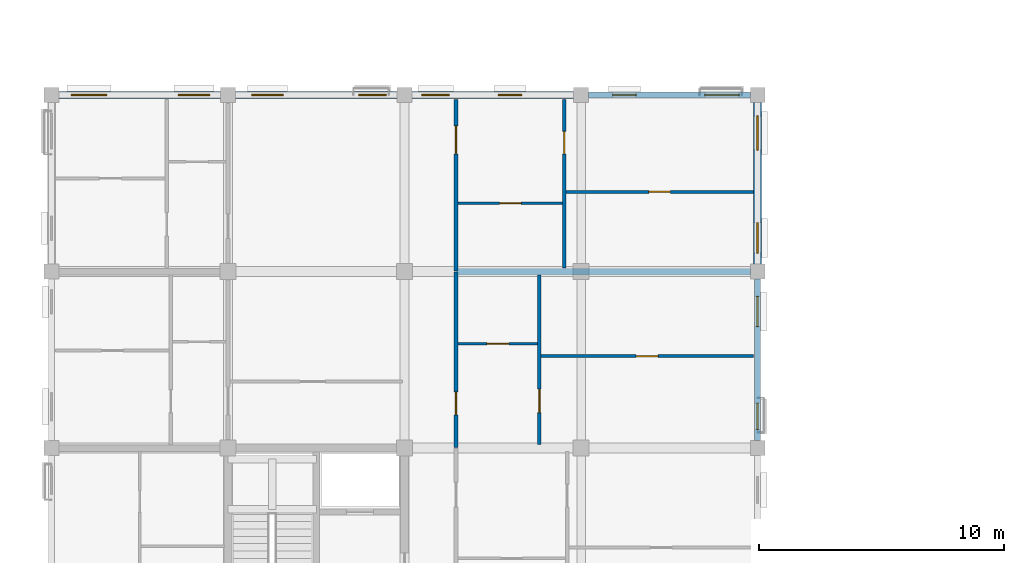
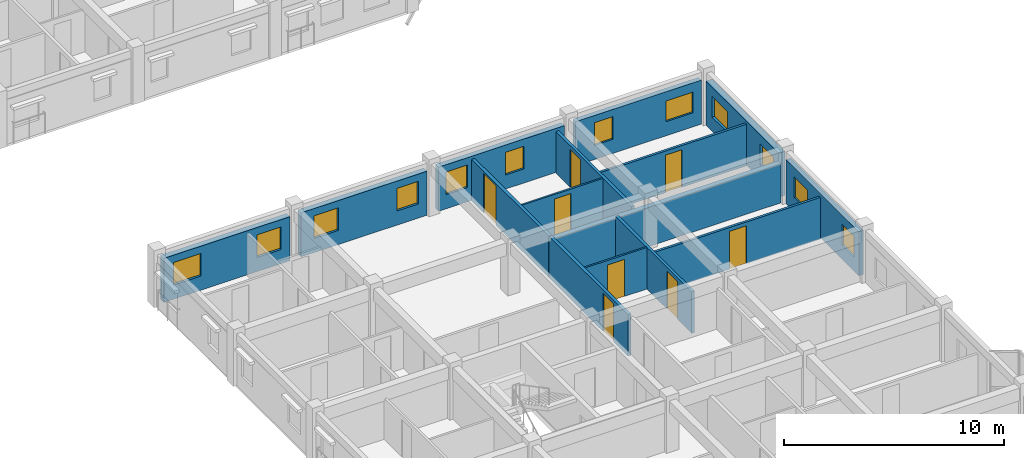
# One storey, part 93 of 124: 15 walls, 12 windows, 8 doors, 20 openings.
"""IFC4 building model written with IfcOpenShell, lengths in metres."""

from ifc_helpers import new_model, si_unit, direction, frame, frame_2d, origin, place, context, subcontext, project, spatial, rectangle, extrude, material, layer, layer_set, type_object, element, fill, save


model = new_model("IFC4")

# Units and contexts
model_context = context("Model", 3, precision=1e-05, world=origin(), true_north=direction((0.0, 1.0)))
body_context = subcontext(model_context, "Body", "Model", "MODEL_VIEW")
ifc_project = project(units=[si_unit("LENGTHUNIT", "METRE"), si_unit("AREAUNIT", "SQUARE_METRE"), si_unit("VOLUMEUNIT", "CUBIC_METRE"), si_unit("PLANEANGLEUNIT", "RADIAN"), si_unit("MASSUNIT", "GRAM", prefix="KILO"), si_unit("THERMODYNAMICTEMPERATUREUNIT", "KELVIN"), si_unit("POWERUNIT", "WATT")], contexts=[model_context])

# Site, building, storey
site_placement = place(None, origin())
site = spatial("IfcSite", under=ifc_project, at=site_placement, CompositionType="ELEMENT")
building_placement = place(site_placement, origin())
building = spatial("IfcBuilding", under=site, at=building_placement, Name="Tavuni Mirador Residences", CompositionType="ELEMENT")
storey_placement = place(building_placement, frame((0.0, 0.0, 7.64990234375)))
storey = spatial("IfcBuildingStorey", under=building, at=storey_placement, Name="L02", CompositionType="ELEMENT", Elevation=7.64990234375)

# Wall, opening, door
ifc_material_1 = material(Name="Precast concrete C40/50", Category="concrete")
ifc_layer_1 = layer(ifc_material_1, 0.1650390625, Name="Precast concrete C40/50", Category="concrete")
ifc_layer_set_1 = layer_set([ifc_layer_1], Name="Precast concrete C40/50")
wall_type_1 = type_object("IfcWallType", Name="WT-CORR165", PredefinedType="PARTITIONING", material=ifc_layer_set_1)
wall_1_placement = place(storey_placement, frame((20.10009765625, 36.02001953125, 0.0), z_axis=(0.0, 0.0, 1.0), x_axis=(0.0, 1.0, 0.0)))
wall_1 = element("IfcWall", 1, at=wall_1_placement, inside=storey, type_object=wall_type_1, Name="CORW-BLK-A-L02-0-04", PredefinedType="PARTITIONING", context=body_context, shape_type="SweptSolid", body=[
    extrude(rectangle(XDim=7.159912109375, YDim=0.1650390625, at=frame_2d((3.580078125, 0.0))), origin(), (0.0, 0.0, 1.0), 2.30517578125),
])
opening_1_placement = place(wall_1_placement, frame((1.330078125, 0.0, 0.0)))
opening_1 = element("IfcOpeningElement", 2, at=opening_1_placement, cuts=wall_1, Name="Opening D-19", PredefinedType="OPENING", context=body_context, shape_type="SweptSolid", body=[
    extrude(rectangle(XDim=0.93994140625, YDim=2.1201171875, at=frame_2d((0.469970703125, 1.06005859375))), frame((0.0, 0.092529296875, 0.0), z_axis=(0.0, -1.0, 0.0), x_axis=(1.0, 0.0, 0.0)), (0.0, 0.0, 1.0), 0.18505859375),
])
ifc_material_2 = material(Name="Solid core iroko timber", Category="wood")
door_type_1 = type_object("IfcDoorType", Name="DT-FD60-940", OperationType="NOTDEFINED", PredefinedType="DOOR", material=ifc_material_2)
door_1_placement = place(opening_1_placement, origin())
door_1 = element("IfcDoor", 3, at=door_1_placement, inside=storey, type_object=door_type_1, Name="DR-2407", OperationType="SINGLE_SWING_RIGHT", OverallHeight=2.1201171875, OverallWidth=0.93994140625, PredefinedType="DOOR", context=body_context, shape_type="SweptSolid", body=[
    extrude(rectangle(XDim=0.93994140625, YDim=2.1201171875, at=frame_2d((0.469970703125, 1.06005859375))), frame((0.0, 0.02490234375, 0.0), z_axis=(0.0, -1.0, 0.0), x_axis=(1.0, 0.0, 0.0)), (0.0, 0.0, 1.0), 0.050048828125),
])
fill(opening_1, door_1)

wall_2_placement = place(storey_placement, frame((20.10009765625, 43.219970703125, 0.0), z_axis=(0.0, 0.0, 1.0), x_axis=(0.0, 1.0, 0.0)))
wall_2 = element("IfcWall", 4, at=wall_2_placement, inside=storey, type_object=wall_type_1, Name="CORW-BLK-A-L02-0-05", PredefinedType="PARTITIONING", context=body_context, shape_type="SweptSolid", body=[
    extrude(rectangle(XDim=7.005126953125, YDim=0.1650390625, at=frame_2d((3.50244140625, 0.0))), origin(), (0.0, 0.0, 1.0), 2.30517578125),
])
opening_2_placement = place(wall_2_placement, frame((4.780029296875, 0.0, 0.0)))
opening_2 = element("IfcOpeningElement", 5, at=opening_2_placement, cuts=wall_2, Name="Opening D-20", PredefinedType="OPENING", context=body_context, shape_type="SweptSolid", body=[
    extrude(rectangle(XDim=1.139892578125, YDim=2.179931640625, at=frame_2d((0.56982421875, 1.08984375))), frame((0.0, 0.092529296875, 0.0), z_axis=(0.0, -1.0, 0.0), x_axis=(1.0, 0.0, 0.0)), (0.0, 0.0, 1.0), 0.18505859375),
])
door_type_2 = type_object("IfcDoorType", Name="DT-FD60-1140", OperationType="NOTDEFINED", PredefinedType="DOOR", material=ifc_material_2)
door_2_placement = place(opening_2_placement, origin())
door_2 = element("IfcDoor", 6, at=door_2_placement, inside=storey, type_object=door_type_2, Name="DR-2408", OperationType="SINGLE_SWING_LEFT", OverallHeight=2.179931640625, OverallWidth=1.139892578125, PredefinedType="DOOR", context=body_context, shape_type="SweptSolid", body=[
    extrude(rectangle(XDim=1.139892578125, YDim=2.179931640625, at=frame_2d((0.56982421875, 1.08984375))), frame((0.0, 0.02490234375, 0.0), z_axis=(0.0, -1.0, 0.0), x_axis=(1.0, 0.0, 0.0)), (0.0, 0.0, 1.0), 0.050048828125),
])
fill(opening_2, door_2)

# Wall, openings, windows
ifc_layer_2 = layer(ifc_material_1, 0.330078125, Name="Precast concrete C40/50", Category="concrete")
ifc_layer_set_2 = layer_set([ifc_layer_2], Name="Precast concrete C40/50")
wall_type_2 = type_object("IfcWallType", Name="WT-EXT-COR330", PredefinedType="SOLIDWALL", material=ifc_layer_set_2)
wall_3_placement = place(storey_placement, frame((32.39990234375, 43.5, 0.0), z_axis=(0.0, 0.0, 1.0), x_axis=(0.0, 1.0, 0.0)))
wall_3 = element("IfcWall", 7, at=wall_3_placement, inside=storey, type_object=wall_type_2, Name="EW-BLK-A-L02-E05", PredefinedType="SOLIDWALL", context=body_context, shape_type="SweptSolid", body=[
    extrude(rectangle(XDim=6.60009765625, YDim=0.330078125, at=frame_2d((3.300048828125, 0.0))), origin(), (0.0, 0.0, 1.0), 2.440185546875),
])
opening_3_placement = place(wall_3_placement, frame((0.449951171875, 0.0, 0.780029296875)))
opening_3 = element("IfcOpeningElement", 8, at=opening_3_placement, cuts=wall_3, Name="Opening WN-06", PredefinedType="OPENING", context=body_context, shape_type="SweptSolid", body=[
    extrude(rectangle(XDim=1.239990234375, YDim=1.14990234375, at=frame_2d((0.6201171875, 0.574951171875))), frame((0.0, 0.175048828125, 0.0), z_axis=(0.0, -1.0, 0.0), x_axis=(1.0, 0.0, 0.0)), (0.0, 0.0, 1.0), 0.35009765625),
])
opening_4_placement = place(wall_3_placement, frame((4.64990234375, 0.0, 0.780029296875)))
opening_4 = element("IfcOpeningElement", 9, at=opening_4_placement, cuts=wall_3, Name="Opening WN-08", PredefinedType="OPENING", context=body_context, shape_type="SweptSolid", body=[
    extrude(rectangle(XDim=1.39990234375, YDim=1.14990234375, at=frame_2d((0.699951171875, 0.574951171875))), frame((0.0, 0.175048828125, 0.0), z_axis=(0.0, -1.0, 0.0), x_axis=(1.0, 0.0, 0.0)), (0.0, 0.0, 1.0), 0.35009765625),
])
ifc_material_3 = material(Name="Laminated solar-control glass", Category="glass")
window_type_1 = type_object("IfcWindowType", Name="WNT-06", PartitioningType="SINGLE_PANEL", PredefinedType="WINDOW", material=ifc_material_3)
window_1_placement = place(opening_3_placement, origin())
window_1 = element("IfcWindow", 10, at=window_1_placement, inside=storey, type_object=window_type_1, Name="WIN-0093", OverallHeight=1.14990234375, OverallWidth=1.239990234375, PartitioningType="SINGLE_PANEL", PredefinedType="WINDOW", context=body_context, shape_type="SweptSolid", body=[
    extrude(rectangle(XDim=1.239990234375, YDim=1.14990234375, at=frame_2d((0.6201171875, 0.574951171875))), frame((0.0, 0.030029296875, 0.0), z_axis=(0.0, -1.0, 0.0), x_axis=(1.0, 0.0, 0.0)), (0.0, 0.0, 1.0), 0.06005859375),
])
fill(opening_3, window_1)
window_type_2 = type_object("IfcWindowType", Name="WNT-08", PartitioningType="SINGLE_PANEL", PredefinedType="WINDOW", material=ifc_material_3)
window_2_placement = place(opening_4_placement, origin())
window_2 = element("IfcWindow", 11, at=window_2_placement, inside=storey, type_object=window_type_2, Name="WIN-0094", OverallHeight=1.14990234375, OverallWidth=1.39990234375, PartitioningType="SINGLE_PANEL", PredefinedType="WINDOW", context=body_context, shape_type="SweptSolid", body=[
    extrude(rectangle(XDim=1.39990234375, YDim=1.14990234375, at=frame_2d((0.699951171875, 0.574951171875))), frame((0.0, 0.030029296875, 0.0), z_axis=(0.0, -1.0, 0.0), x_axis=(1.0, 0.0, 0.0)), (0.0, 0.0, 1.0), 0.06005859375),
])
fill(opening_4, window_2)

ifc_material_4 = material(Name="Sgraffito lime-rendered precast concrete C40/50", Category="concrete")
ifc_layer_3 = layer(ifc_material_4, 0.2451171875, Name="Sgraffito lime-rendered precast concrete C40/50", Category="concrete")
ifc_layer_set_3 = layer_set([ifc_layer_3], Name="Sgraffito lime-rendered precast concrete C40/50")
wall_type_3 = type_object("IfcWallType", Name="WT-EXT-PC245", PredefinedType="SOLIDWALL", material=ifc_layer_set_3)
wall_4_placement = place(storey_placement, frame((32.39990234375, 36.300048828125, 0.0), z_axis=(0.0, 0.0, 1.0), x_axis=(0.0, 1.0, 0.0)))
wall_4 = element("IfcWall", 12, at=wall_4_placement, inside=storey, type_object=wall_type_3, Name="EW-BLK-A-L02-E04", PredefinedType="SOLIDWALL", context=body_context, shape_type="SweptSolid", body=[
    extrude(rectangle(XDim=6.599853515625, YDim=0.2451171875, at=frame_2d((3.2998046875, 0.0))), origin(), (0.0, 0.0, 1.0), 2.440185546875),
])
opening_5_placement = place(wall_4_placement, frame((0.449951171875, 0.0, 0.780029296875)))
opening_5 = element("IfcOpeningElement", 13, at=opening_5_placement, cuts=wall_4, Name="Opening WN-04", PredefinedType="OPENING", context=body_context, shape_type="SweptSolid", body=[
    extrude(rectangle(XDim=1.080078125, YDim=1.14990234375, at=frame_2d((0.5400390625, 0.574951171875))), frame((0.0, 0.132568359375, 0.0), z_axis=(0.0, -1.0, 0.0), x_axis=(1.0, 0.0, 0.0)), (0.0, 0.0, 1.0), 0.26513671875),
])
opening_6_placement = place(wall_4_placement, frame((4.64990234375, 0.0, 0.780029296875)))
opening_6 = element("IfcOpeningElement", 14, at=opening_6_placement, cuts=wall_4, Name="Opening WN-06", PredefinedType="OPENING", context=body_context, shape_type="SweptSolid", body=[
    extrude(rectangle(XDim=1.239990234375, YDim=1.14990234375, at=frame_2d((0.6201171875, 0.574951171875))), frame((0.0, 0.132568359375, 0.0), z_axis=(0.0, -1.0, 0.0), x_axis=(1.0, 0.0, 0.0)), (0.0, 0.0, 1.0), 0.26513671875),
])
window_type_3 = type_object("IfcWindowType", Name="WNT-04", PartitioningType="SINGLE_PANEL", PredefinedType="WINDOW", material=ifc_material_3)
window_3_placement = place(opening_5_placement, origin())
window_3 = element("IfcWindow", 15, at=window_3_placement, inside=storey, type_object=window_type_3, Name="WIN-0091", OverallHeight=1.14990234375, OverallWidth=1.080078125, PartitioningType="SINGLE_PANEL", PredefinedType="WINDOW", context=body_context, shape_type="SweptSolid", body=[
    extrude(rectangle(XDim=1.080078125, YDim=1.14990234375, at=frame_2d((0.5400390625, 0.574951171875))), frame((0.0, 0.030029296875, 0.0), z_axis=(0.0, -1.0, 0.0), x_axis=(1.0, 0.0, 0.0)), (0.0, 0.0, 1.0), 0.06005859375),
])
fill(opening_5, window_3)
window_4_placement = place(opening_6_placement, origin())
window_4 = element("IfcWindow", 16, at=window_4_placement, inside=storey, type_object=window_type_1, Name="WIN-0092", OverallHeight=1.14990234375, OverallWidth=1.239990234375, PartitioningType="SINGLE_PANEL", PredefinedType="WINDOW", context=body_context, shape_type="SweptSolid", body=[
    extrude(rectangle(XDim=1.239990234375, YDim=1.14990234375, at=frame_2d((0.6201171875, 0.574951171875))), frame((0.0, 0.030029296875, 0.0), z_axis=(0.0, -1.0, 0.0), x_axis=(1.0, 0.0, 0.0)), (0.0, 0.0, 1.0), 0.06005859375),
])
fill(opening_6, window_4)

ifc_layer_4 = layer(ifc_material_4, 0.2548828125, Name="Sgraffito lime-rendered precast concrete C40/50", Category="concrete")
ifc_layer_set_4 = layer_set([ifc_layer_4], Name="Sgraffito lime-rendered precast concrete C40/50")
wall_type_4 = type_object("IfcWallType", Name="WT-EXT-PC255", PredefinedType="SOLIDWALL", material=ifc_layer_set_4)
wall_5_placement = place(storey_placement, frame((32.10009765625, 50.39990234375, 0.0), z_axis=(0.0, 0.0, 1.0), x_axis=(-1.0, 0.0, 0.0)))
wall_5 = element("IfcWall", 17, at=wall_5_placement, inside=storey, type_object=wall_type_4, Name="EW-BLK-A-L02-N03", PredefinedType="SOLIDWALL", context=body_context, shape_type="SweptSolid", body=[
    extrude(rectangle(XDim=6.60009765625, YDim=0.2548828125, at=frame_2d((3.300048828125, 0.0))), origin(), (0.0, 0.0, 1.0), 2.440185546875),
])
opening_7_placement = place(wall_5_placement, frame((0.449951171875, 0.0, 0.780029296875)))
opening_7 = element("IfcOpeningElement", 18, at=opening_7_placement, cuts=wall_5, Name="Opening WN-08", PredefinedType="OPENING", context=body_context, shape_type="SweptSolid", body=[
    extrude(rectangle(XDim=1.39990234375, YDim=1.14990234375, at=frame_2d((0.699951171875, 0.574951171875))), frame((0.0, 0.137451171875, 0.0), z_axis=(0.0, -1.0, 0.0), x_axis=(1.0, 0.0, 0.0)), (0.0, 0.0, 1.0), 0.27490234375),
])
opening_8_placement = place(wall_5_placement, frame((4.64990234375, 0.0, 0.780029296875)))
opening_8 = element("IfcOpeningElement", 19, at=opening_8_placement, cuts=wall_5, Name="Opening WN-10", PredefinedType="OPENING", context=body_context, shape_type="SweptSolid", body=[
    extrude(rectangle(XDim=0.9599609375, YDim=1.260009765625, at=frame_2d((0.47998046875, 0.6298828125))), frame((0.0, 0.137451171875, 0.0), z_axis=(0.0, -1.0, 0.0), x_axis=(1.0, 0.0, 0.0)), (0.0, 0.0, 1.0), 0.27490234375),
])
window_5_placement = place(opening_7_placement, origin())
window_5 = element("IfcWindow", 20, at=window_5_placement, inside=storey, type_object=window_type_2, Name="WIN-0095", OverallHeight=1.14990234375, OverallWidth=1.39990234375, PartitioningType="SINGLE_PANEL", PredefinedType="WINDOW", context=body_context, shape_type="SweptSolid", body=[
    extrude(rectangle(XDim=1.39990234375, YDim=1.14990234375, at=frame_2d((0.699951171875, 0.574951171875))), frame((0.0, 0.030029296875, 0.0), z_axis=(0.0, -1.0, 0.0), x_axis=(1.0, 0.0, 0.0)), (0.0, 0.0, 1.0), 0.06005859375),
])
fill(opening_7, window_5)
window_type_4 = type_object("IfcWindowType", Name="WNT-10", PartitioningType="SINGLE_PANEL", PredefinedType="WINDOW", material=ifc_material_3)
window_6_placement = place(opening_8_placement, origin())
window_6 = element("IfcWindow", 21, at=window_6_placement, inside=storey, type_object=window_type_4, Name="WIN-0096", OverallHeight=1.260009765625, OverallWidth=0.9599609375, PartitioningType="SINGLE_PANEL", PredefinedType="WINDOW", context=body_context, shape_type="SweptSolid", body=[
    extrude(rectangle(XDim=0.9599609375, YDim=1.260009765625, at=frame_2d((0.47998046875, 0.6298828125))), frame((0.0, 0.030029296875, 0.0), z_axis=(0.0, -1.0, 0.0), x_axis=(1.0, 0.0, 0.0)), (0.0, 0.0, 1.0), 0.06005859375),
])
fill(opening_8, window_6)

ifc_layer_5 = layer(ifc_material_4, 0.27490234375, Name="Sgraffito lime-rendered precast concrete C40/50", Category="concrete")
ifc_layer_set_5 = layer_set([ifc_layer_5], Name="Sgraffito lime-rendered precast concrete C40/50")
wall_type_5 = type_object("IfcWallType", Name="WT-EXT-PC275", PredefinedType="SOLIDWALL", material=ifc_layer_set_5)
wall_6_placement = place(storey_placement, frame((24.89990234375, 50.39990234375, 0.0), z_axis=(0.0, 0.0, 1.0), x_axis=(-1.0, 0.0, 0.0)))
wall_6 = element("IfcWall", 22, at=wall_6_placement, inside=storey, type_object=wall_type_5, Name="EW-BLK-A-L02-N02", PredefinedType="SOLIDWALL", context=body_context, shape_type="SweptSolid", body=[
    extrude(rectangle(XDim=6.599853515625, YDim=0.27490234375, at=frame_2d((3.2998046875, 0.0))), origin(), (0.0, 0.0, 1.0), 2.440185546875),
])
opening_9_placement = place(wall_6_placement, frame((2.114990234375, 0.0, 0.780029296875)))
opening_9 = element("IfcOpeningElement", 23, at=opening_9_placement, cuts=wall_6, Name="Opening WN-10", PredefinedType="OPENING", context=body_context, shape_type="SweptSolid", body=[
    extrude(rectangle(XDim=0.9599609375, YDim=1.260009765625, at=frame_2d((0.47998046875, 0.6298828125))), frame((0.0, 0.1474609375, 0.0), z_axis=(0.0, -1.0, 0.0), x_axis=(1.0, 0.0, 0.0)), (0.0, 0.0, 1.0), 0.294921875),
])
opening_10_placement = place(wall_6_placement, frame((5.070068359375, 0.0, 0.780029296875)))
opening_10 = element("IfcOpeningElement", 24, at=opening_10_placement, cuts=wall_6, Name="Opening WN-12", PredefinedType="OPENING", context=body_context, shape_type="SweptSolid", body=[
    extrude(rectangle(XDim=1.1201171875, YDim=1.260009765625, at=frame_2d((0.56005859375, 0.6298828125))), frame((0.0, 0.1474609375, 0.0), z_axis=(0.0, -1.0, 0.0), x_axis=(1.0, 0.0, 0.0)), (0.0, 0.0, 1.0), 0.294921875),
])
window_7_placement = place(opening_9_placement, origin())
window_7 = element("IfcWindow", 25, at=window_7_placement, inside=storey, type_object=window_type_4, Name="WIN-0097", OverallHeight=1.260009765625, OverallWidth=0.9599609375, PartitioningType="SINGLE_PANEL", PredefinedType="WINDOW", context=body_context, shape_type="SweptSolid", body=[
    extrude(rectangle(XDim=0.9599609375, YDim=1.260009765625, at=frame_2d((0.47998046875, 0.6298828125))), frame((0.0, 0.030029296875, 0.0), z_axis=(0.0, -1.0, 0.0), x_axis=(1.0, 0.0, 0.0)), (0.0, 0.0, 1.0), 0.06005859375),
])
fill(opening_9, window_7)
window_type_5 = type_object("IfcWindowType", Name="WNT-12", PartitioningType="SINGLE_PANEL", PredefinedType="WINDOW", material=ifc_material_3)
window_8_placement = place(opening_10_placement, origin())
window_8 = element("IfcWindow", 26, at=window_8_placement, inside=storey, type_object=window_type_5, Name="WIN-0098", OverallHeight=1.260009765625, OverallWidth=1.1201171875, PartitioningType="SINGLE_PANEL", PredefinedType="WINDOW", context=body_context, shape_type="SweptSolid", body=[
    extrude(rectangle(XDim=1.1201171875, YDim=1.260009765625, at=frame_2d((0.56005859375, 0.6298828125))), frame((0.0, 0.030029296875, 0.0), z_axis=(0.0, -1.0, 0.0), x_axis=(1.0, 0.0, 0.0)), (0.0, 0.0, 1.0), 0.06005859375),
])
fill(opening_10, window_8)

ifc_layer_6 = layer(ifc_material_4, 0.2900390625, Name="Sgraffito lime-rendered precast concrete C40/50", Category="concrete")
ifc_layer_set_6 = layer_set([ifc_layer_6], Name="Sgraffito lime-rendered precast concrete C40/50")
wall_type_6 = type_object("IfcWallType", Name="WT-EXT-PC290", PredefinedType="SOLIDWALL", material=ifc_layer_set_6)
wall_7_placement = place(storey_placement, frame((17.699951171875, 50.39990234375, 0.0), z_axis=(0.0, 0.0, 1.0), x_axis=(-1.0, 0.0, 0.0)))
wall_7 = element("IfcWall", 27, at=wall_7_placement, inside=storey, type_object=wall_type_6, Name="EW-BLK-A-L02-N01", PredefinedType="SOLIDWALL", context=body_context, shape_type="SweptSolid", body=[
    extrude(rectangle(XDim=6.599853515625, YDim=0.2900390625, at=frame_2d((3.2998046875, 0.0))), origin(), (0.0, 0.0, 1.0), 2.440185546875),
])
opening_11_placement = place(wall_7_placement, frame((0.449951171875, 0.0, 0.780029296875)))
opening_11 = element("IfcOpeningElement", 28, at=opening_11_placement, cuts=wall_7, Name="Opening WN-12", PredefinedType="OPENING", context=body_context, shape_type="SweptSolid", body=[
    extrude(rectangle(XDim=1.1201171875, YDim=1.260009765625, at=frame_2d((0.56005859375, 0.6298828125))), frame((0.0, 0.155029296875, 0.0), z_axis=(0.0, -1.0, 0.0), x_axis=(1.0, 0.0, 0.0)), (0.0, 0.0, 1.0), 0.31005859375),
])
opening_12_placement = place(wall_7_placement, frame((4.64990234375, 0.0, 0.780029296875)))
opening_12 = element("IfcOpeningElement", 29, at=opening_12_placement, cuts=wall_7, Name="Opening WN-14", PredefinedType="OPENING", context=body_context, shape_type="SweptSolid", body=[
    extrude(rectangle(XDim=1.280029296875, YDim=1.260009765625, at=frame_2d((0.64013671875, 0.6298828125))), frame((0.0, 0.155029296875, 0.0), z_axis=(0.0, -1.0, 0.0), x_axis=(1.0, 0.0, 0.0)), (0.0, 0.0, 1.0), 0.31005859375),
])
window_9_placement = place(opening_11_placement, origin())
window_9 = element("IfcWindow", 30, at=window_9_placement, inside=storey, type_object=window_type_5, Name="WIN-0099", OverallHeight=1.260009765625, OverallWidth=1.1201171875, PartitioningType="SINGLE_PANEL", PredefinedType="WINDOW", context=body_context, shape_type="SweptSolid", body=[
    extrude(rectangle(XDim=1.1201171875, YDim=1.260009765625, at=frame_2d((0.56005859375, 0.6298828125))), frame((0.0, 0.030029296875, 0.0), z_axis=(0.0, -1.0, 0.0), x_axis=(1.0, 0.0, 0.0)), (0.0, 0.0, 1.0), 0.06005859375),
])
fill(opening_11, window_9)
window_type_6 = type_object("IfcWindowType", Name="WNT-14", PartitioningType="SINGLE_PANEL", PredefinedType="WINDOW", material=ifc_material_3)
window_10_placement = place(opening_12_placement, origin())
window_10 = element("IfcWindow", 31, at=window_10_placement, inside=storey, type_object=window_type_6, Name="WIN-0100", OverallHeight=1.260009765625, OverallWidth=1.280029296875, PartitioningType="SINGLE_PANEL", PredefinedType="WINDOW", context=body_context, shape_type="SweptSolid", body=[
    extrude(rectangle(XDim=1.280029296875, YDim=1.260009765625, at=frame_2d((0.64013671875, 0.6298828125))), frame((0.0, 0.030029296875, 0.0), z_axis=(0.0, -1.0, 0.0), x_axis=(1.0, 0.0, 0.0)), (0.0, 0.0, 1.0), 0.06005859375),
])
fill(opening_12, window_10)

ifc_layer_7 = layer(ifc_material_4, 0.304931640625, Name="Sgraffito lime-rendered precast concrete C40/50", Category="concrete")
ifc_layer_set_7 = layer_set([ifc_layer_7], Name="Sgraffito lime-rendered precast concrete C40/50")
wall_type_7 = type_object("IfcWallType", Name="WT-EXT-PC305", PredefinedType="SOLIDWALL", material=ifc_layer_set_7)
wall_8_placement = place(storey_placement, frame((10.5, 50.39990234375, 0.0), z_axis=(0.0, 0.0, 1.0), x_axis=(-1.0, 0.0, 0.0)))
wall_8 = element("IfcWall", 32, at=wall_8_placement, inside=storey, type_object=wall_type_7, Name="EW-BLK-A-L02-N00", PredefinedType="SOLIDWALL", context=body_context, shape_type="SweptSolid", body=[
    extrude(rectangle(XDim=6.60009765625, YDim=0.304931640625, at=frame_2d((3.300048828125, 0.0))), origin(), (0.0, 0.0, 1.0), 2.440185546875),
])
opening_13_placement = place(wall_8_placement, frame((0.449951171875, 0.0, 0.780029296875)))
opening_13 = element("IfcOpeningElement", 33, at=opening_13_placement, cuts=wall_8, Name="Opening WN-14", PredefinedType="OPENING", context=body_context, shape_type="SweptSolid", body=[
    extrude(rectangle(XDim=1.280029296875, YDim=1.260009765625, at=frame_2d((0.64013671875, 0.6298828125))), frame((0.0, 0.16259765625, 0.0), z_axis=(0.0, -1.0, 0.0), x_axis=(1.0, 0.0, 0.0)), (0.0, 0.0, 1.0), 0.324951171875),
])
opening_14_placement = place(wall_8_placement, frame((4.64990234375, 0.0, 0.780029296875)))
opening_14 = element("IfcOpeningElement", 34, at=opening_14_placement, cuts=wall_8, Name="Opening WN-16", PredefinedType="OPENING", context=body_context, shape_type="SweptSolid", body=[
    extrude(rectangle(XDim=1.43994140625, YDim=1.260009765625, at=frame_2d((0.719970703125, 0.6298828125))), frame((0.0, 0.16259765625, 0.0), z_axis=(0.0, -1.0, 0.0), x_axis=(1.0, 0.0, 0.0)), (0.0, 0.0, 1.0), 0.324951171875),
])
window_11_placement = place(opening_13_placement, origin())
window_11 = element("IfcWindow", 35, at=window_11_placement, inside=storey, type_object=window_type_6, Name="WIN-0101", OverallHeight=1.260009765625, OverallWidth=1.280029296875, PartitioningType="SINGLE_PANEL", PredefinedType="WINDOW", context=body_context, shape_type="SweptSolid", body=[
    extrude(rectangle(XDim=1.280029296875, YDim=1.260009765625, at=frame_2d((0.64013671875, 0.6298828125))), frame((0.0, 0.030029296875, 0.0), z_axis=(0.0, -1.0, 0.0), x_axis=(1.0, 0.0, 0.0)), (0.0, 0.0, 1.0), 0.06005859375),
])
fill(opening_13, window_11)
window_type_7 = type_object("IfcWindowType", Name="WNT-16", PartitioningType="SINGLE_PANEL", PredefinedType="WINDOW", material=ifc_material_3)
window_12_placement = place(opening_14_placement, origin())
window_12 = element("IfcWindow", 36, at=window_12_placement, inside=storey, type_object=window_type_7, Name="WIN-0102", OverallHeight=1.260009765625, OverallWidth=1.43994140625, PartitioningType="SINGLE_PANEL", PredefinedType="WINDOW", context=body_context, shape_type="SweptSolid", body=[
    extrude(rectangle(XDim=1.43994140625, YDim=1.260009765625, at=frame_2d((0.719970703125, 0.6298828125))), frame((0.0, 0.030029296875, 0.0), z_axis=(0.0, -1.0, 0.0), x_axis=(1.0, 0.0, 0.0)), (0.0, 0.0, 1.0), 0.06005859375),
])
fill(opening_14, window_12)

# Wall, opening, door
ifc_material_5 = material(Name="Acoustic gypsum and concrete block partition", Category="concrete")
ifc_layer_8 = layer(ifc_material_5, 0.094970703125, Name="Acoustic gypsum and concrete block partition", Category="concrete")
ifc_layer_set_8 = layer_set([ifc_layer_8], Name="Acoustic gypsum and concrete block partition")
wall_type_8 = type_object("IfcWallType", Name="WT-PART095", PredefinedType="PARTITIONING", material=ifc_layer_set_8)
wall_9_placement = place(storey_placement, frame((20.18994140625, 40.25, 0.0), z_axis=(0.0, 0.0, 1.0), x_axis=(1.0, 0.0, 0.0)))
wall_9 = element("IfcWall", 37, at=wall_9_placement, inside=storey, type_object=wall_type_8, Name="PW-BLK-A-L02-E04-IN1", PredefinedType="PARTITIONING", context=body_context, shape_type="SweptSolid", body=[
    extrude(rectangle(XDim=3.239990234375, YDim=0.094970703125, at=frame_2d((1.6201171875, 0.0))), origin(), (0.0, 0.0, 1.0), 2.30517578125),
])
opening_15_placement = place(wall_9_placement, frame((1.169921875, 0.0, 0.0)))
opening_15 = element("IfcOpeningElement", 38, at=opening_15_placement, cuts=wall_9, Name="Opening D-09", PredefinedType="OPENING", context=body_context, shape_type="SweptSolid", body=[
    extrude(rectangle(XDim=0.89990234375, YDim=2.050048828125, at=frame_2d((0.449951171875, 1.02490234375))), frame((0.0, 0.0576171875, 0.0), z_axis=(0.0, -1.0, 0.0), x_axis=(1.0, 0.0, 0.0)), (0.0, 0.0, 1.0), 0.114990234375),
])
door_type_3 = type_object("IfcDoorType", Name="DT-WC900", OperationType="NOTDEFINED", PredefinedType="DOOR", material=ifc_material_2)
door_3_placement = place(opening_15_placement, origin())
door_3 = element("IfcDoor", 39, at=door_3_placement, inside=storey, type_object=door_type_3, Name="DR-3019", OperationType="SINGLE_SWING_RIGHT", OverallHeight=2.050048828125, OverallWidth=0.89990234375, PredefinedType="DOOR", context=body_context, shape_type="SweptSolid", body=[
    extrude(rectangle(XDim=0.89990234375, YDim=2.050048828125, at=frame_2d((0.449951171875, 1.02490234375))), frame((0.0, 0.02490234375, 0.0), z_axis=(0.0, -1.0, 0.0), x_axis=(1.0, 0.0, 0.0)), (0.0, 0.0, 1.0), 0.050048828125),
])
fill(opening_15, door_3)

wall_10_placement = place(storey_placement, frame((20.18994140625, 45.97998046875, 0.0), z_axis=(0.0, 0.0, 1.0), x_axis=(1.0, 0.0, 0.0)))
wall_10 = element("IfcWall", 40, at=wall_10_placement, inside=storey, type_object=wall_type_8, Name="PW-BLK-A-L02-E05-IN1", PredefinedType="PARTITIONING", context=body_context, shape_type="SweptSolid", body=[
    extrude(rectangle(XDim=4.25, YDim=0.094970703125, at=frame_2d((2.125, 0.0))), origin(), (0.0, 0.0, 1.0), 2.30517578125),
])
opening_16_placement = place(wall_10_placement, frame((1.68994140625, 0.0, 0.0)))
opening_16 = element("IfcOpeningElement", 41, at=opening_16_placement, cuts=wall_10, Name="Opening D-10", PredefinedType="OPENING", context=body_context, shape_type="SweptSolid", body=[
    extrude(rectangle(XDim=0.8701171875, YDim=2.050048828125, at=frame_2d((0.43505859375, 1.02490234375))), frame((0.0, 0.0576171875, 0.0), z_axis=(0.0, -1.0, 0.0), x_axis=(1.0, 0.0, 0.0)), (0.0, 0.0, 1.0), 0.114990234375),
])
door_type_4 = type_object("IfcDoorType", Name="DT-WC870", OperationType="NOTDEFINED", PredefinedType="DOOR", material=ifc_material_2)
door_4_placement = place(opening_16_placement, origin())
door_4 = element("IfcDoor", 42, at=door_4_placement, inside=storey, type_object=door_type_4, Name="DR-3025", OperationType="SINGLE_SWING_LEFT", OverallHeight=2.050048828125, OverallWidth=0.8701171875, PredefinedType="DOOR", context=body_context, shape_type="SweptSolid", body=[
    extrude(rectangle(XDim=0.8701171875, YDim=2.050048828125, at=frame_2d((0.43505859375, 1.02490234375))), frame((0.0, 0.02490234375, 0.0), z_axis=(0.0, -1.0, 0.0), x_axis=(1.0, 0.0, 0.0)), (0.0, 0.0, 1.0), 0.050048828125),
])
fill(opening_16, door_4)

ifc_layer_9 = layer(ifc_material_5, 0.125, Name="Acoustic gypsum and concrete block partition", Category="concrete")
ifc_layer_set_9 = layer_set([ifc_layer_9], Name="Acoustic gypsum and concrete block partition")
wall_type_9 = type_object("IfcWallType", Name="WT-PART125", PredefinedType="PARTITIONING", material=ifc_layer_set_9)
wall_11_placement = place(storey_placement, frame((23.570068359375, 39.75, 0.0), z_axis=(0.0, 0.0, 1.0), x_axis=(1.0, 0.0, 0.0)))
wall_11 = element("IfcWall", 43, at=wall_11_placement, inside=storey, type_object=wall_type_9, Name="PW-BLK-A-L02-E04-OUT", PredefinedType="PARTITIONING", context=body_context, shape_type="SweptSolid", body=[
    extrude(rectangle(XDim=8.655029296875, YDim=0.125, at=frame_2d((4.32763671875, 0.0))), origin(), (0.0, 0.0, 1.0), 2.30517578125),
])
opening_17_placement = place(wall_11_placement, frame((3.87744140625, 0.0, 0.0)))
opening_17 = element("IfcOpeningElement", 44, at=opening_17_placement, cuts=wall_11, Name="Opening D-07", PredefinedType="OPENING", context=body_context, shape_type="SweptSolid", body=[
    extrude(rectangle(XDim=0.89990234375, YDim=2.10009765625, at=frame_2d((0.449951171875, 1.050048828125))), frame((0.0, 0.072509765625, 0.0), z_axis=(0.0, -1.0, 0.0), x_axis=(1.0, 0.0, 0.0)), (0.0, 0.0, 1.0), 0.14501953125),
])
door_type_5 = type_object("IfcDoorType", Name="DT-BED900", OperationType="NOTDEFINED", PredefinedType="DOOR", material=ifc_material_2)
door_5_placement = place(opening_17_placement, origin())
door_5 = element("IfcDoor", 45, at=door_5_placement, inside=storey, type_object=door_type_5, Name="DR-3018", OperationType="SINGLE_SWING_LEFT", OverallHeight=2.10009765625, OverallWidth=0.89990234375, PredefinedType="DOOR", context=body_context, shape_type="SweptSolid", body=[
    extrude(rectangle(XDim=0.89990234375, YDim=2.10009765625, at=frame_2d((0.449951171875, 1.050048828125))), frame((0.0, 0.02490234375, 0.0), z_axis=(0.0, -1.0, 0.0), x_axis=(1.0, 0.0, 0.0)), (0.0, 0.0, 1.0), 0.050048828125),
])
fill(opening_17, door_5)

wall_12_placement = place(storey_placement, frame((24.580078125, 46.449951171875, 0.0), z_axis=(0.0, 0.0, 1.0), x_axis=(1.0, 0.0, 0.0)))
wall_12 = element("IfcWall", 46, at=wall_12_placement, inside=storey, type_object=wall_type_9, Name="PW-BLK-A-L02-E05-OUT", PredefinedType="PARTITIONING", context=body_context, shape_type="SweptSolid", body=[
    extrude(rectangle(XDim=7.64501953125, YDim=0.125, at=frame_2d((3.822509765625, 0.0))), origin(), (0.0, 0.0, 1.0), 2.30517578125),
])
opening_18_placement = place(wall_12_placement, frame((3.382568359375, 0.0, 0.0)))
opening_18 = element("IfcOpeningElement", 47, at=opening_18_placement, cuts=wall_12, Name="Opening D-08", PredefinedType="OPENING", context=body_context, shape_type="SweptSolid", body=[
    extrude(rectangle(XDim=0.8798828125, YDim=2.080078125, at=frame_2d((0.43994140625, 1.0400390625))), frame((0.0, 0.072509765625, 0.0), z_axis=(0.0, -1.0, 0.0), x_axis=(1.0, 0.0, 0.0)), (0.0, 0.0, 1.0), 0.14501953125),
])
door_type_6 = type_object("IfcDoorType", Name="DT-BED880", OperationType="NOTDEFINED", PredefinedType="DOOR", material=ifc_material_2)
door_6_placement = place(opening_18_placement, origin())
door_6 = element("IfcDoor", 48, at=door_6_placement, inside=storey, type_object=door_type_6, Name="DR-3024", OperationType="SINGLE_SWING_RIGHT", OverallHeight=2.080078125, OverallWidth=0.8798828125, PredefinedType="DOOR", context=body_context, shape_type="SweptSolid", body=[
    extrude(rectangle(XDim=0.8798828125, YDim=2.080078125, at=frame_2d((0.43994140625, 1.0400390625))), frame((0.0, 0.02490234375, 0.0), z_axis=(0.0, -1.0, 0.0), x_axis=(1.0, 0.0, 0.0)), (0.0, 0.0, 1.0), 0.050048828125),
])
fill(opening_18, door_6)

ifc_layer_10 = layer(ifc_material_5, 0.14990234375, Name="Acoustic gypsum and concrete block partition", Category="concrete")
ifc_layer_set_10 = layer_set([ifc_layer_10], Name="Acoustic gypsum and concrete block partition")
wall_type_10 = type_object("IfcWallType", Name="WT-PART150", PredefinedType="PARTITIONING", material=ifc_layer_set_10)
wall_13_placement = place(storey_placement, frame((23.5, 36.139892578125, 0.0), z_axis=(0.0, 0.0, 1.0), x_axis=(0.0, 1.0, 0.0)))
wall_13 = element("IfcWall", 49, at=wall_13_placement, inside=storey, type_object=wall_type_10, Name="PW-BLK-A-L02-E04-MID", PredefinedType="PARTITIONING", context=body_context, shape_type="SweptSolid", body=[
    extrude(rectangle(XDim=6.920166015625, YDim=0.14990234375, at=frame_2d((3.4599609375, 0.0))), origin(), (0.0, 0.0, 1.0), 2.30517578125),
])
opening_19_placement = place(wall_13_placement, frame((1.31005859375, 0.0, 0.0)))
opening_19 = element("IfcOpeningElement", 50, at=opening_19_placement, cuts=wall_13, Name="Opening D-05", PredefinedType="OPENING", context=body_context, shape_type="SweptSolid", body=[
    extrude(rectangle(XDim=0.949951171875, YDim=2.10009765625, at=frame_2d((0.47509765625, 1.050048828125))), frame((0.0, 0.0849609375, 0.0), z_axis=(0.0, -1.0, 0.0), x_axis=(1.0, 0.0, 0.0)), (0.0, 0.0, 1.0), 0.169921875),
])
door_type_7 = type_object("IfcDoorType", Name="DT-INT950", OperationType="NOTDEFINED", PredefinedType="DOOR", material=ifc_material_2)
door_7_placement = place(opening_19_placement, origin())
door_7 = element("IfcDoor", 51, at=door_7_placement, inside=storey, type_object=door_type_7, Name="DR-3020", OperationType="SINGLE_SWING_LEFT", OverallHeight=2.10009765625, OverallWidth=0.949951171875, PredefinedType="DOOR", context=body_context, shape_type="SweptSolid", body=[
    extrude(rectangle(XDim=0.949951171875, YDim=2.10009765625, at=frame_2d((0.47509765625, 1.050048828125))), frame((0.0, 0.02490234375, 0.0), z_axis=(0.0, -1.0, 0.0), x_axis=(1.0, 0.0, 0.0)), (0.0, 0.0, 1.0), 0.050048828125),
])
fill(opening_19, door_7)

wall_14_placement = place(storey_placement, frame((24.510009765625, 43.340087890625, 0.0), z_axis=(0.0, 0.0, 1.0), x_axis=(0.0, 1.0, 0.0)))
wall_14 = element("IfcWall", 52, at=wall_14_placement, inside=storey, type_object=wall_type_10, Name="PW-BLK-A-L02-E05-MID", PredefinedType="PARTITIONING", context=body_context, shape_type="SweptSolid", body=[
    extrude(rectangle(XDim=6.885009765625, YDim=0.14990234375, at=frame_2d((3.4423828125, 0.0))), origin(), (0.0, 0.0, 1.0), 2.30517578125),
])
opening_20_placement = place(wall_14_placement, frame((4.659912109375, 0.0, 0.0)))
opening_20 = element("IfcOpeningElement", 53, at=opening_20_placement, cuts=wall_14, Name="Opening D-06", PredefinedType="OPENING", context=body_context, shape_type="SweptSolid", body=[
    extrude(rectangle(XDim=0.919921875, YDim=2.10009765625, at=frame_2d((0.4599609375, 1.050048828125))), frame((0.0, 0.0849609375, 0.0), z_axis=(0.0, -1.0, 0.0), x_axis=(1.0, 0.0, 0.0)), (0.0, 0.0, 1.0), 0.169921875),
])
door_type_8 = type_object("IfcDoorType", Name="DT-INT920", OperationType="NOTDEFINED", PredefinedType="DOOR", material=ifc_material_2)
door_8_placement = place(opening_20_placement, origin())
door_8 = element("IfcDoor", 54, at=door_8_placement, inside=storey, type_object=door_type_8, Name="DR-3026", OperationType="SINGLE_SWING_RIGHT", OverallHeight=2.10009765625, OverallWidth=0.919921875, PredefinedType="DOOR", context=body_context, shape_type="SweptSolid", body=[
    extrude(rectangle(XDim=0.919921875, YDim=2.10009765625, at=frame_2d((0.4599609375, 1.050048828125))), frame((0.0, 0.02490234375, 0.0), z_axis=(0.0, -1.0, 0.0), x_axis=(1.0, 0.0, 0.0)), (0.0, 0.0, 1.0), 0.050048828125),
])
fill(opening_20, door_8)

# Wall
ifc_layer_11 = layer(ifc_material_1, 0.264892578125, Name="Precast concrete C40/50", Category="concrete")
ifc_layer_set_11 = layer_set([ifc_layer_11], Name="Precast concrete C40/50")
wall_type_11 = type_object("IfcWallType", Name="WT-XW265", PredefinedType="SOLIDWALL", material=ifc_layer_set_11)
wall_15_placement = place(storey_placement, frame((20.10009765625, 43.199951171875, 0.0), z_axis=(0.0, 0.0, 1.0), x_axis=(1.0, 0.0, 0.0)))
element("IfcWall", 55, at=wall_15_placement, inside=storey, type_object=wall_type_11, Name="XW-BLK-A-L02-E-05", PredefinedType="SOLIDWALL", context=body_context, shape_type="SweptSolid", body=[
    extrude(rectangle(XDim=12.0, YDim=0.264892578125, at=frame_2d((6.0, 0.0))), origin(), (0.0, 0.0, 1.0), 2.170166015625),
])

save(model, "model.ifc")
